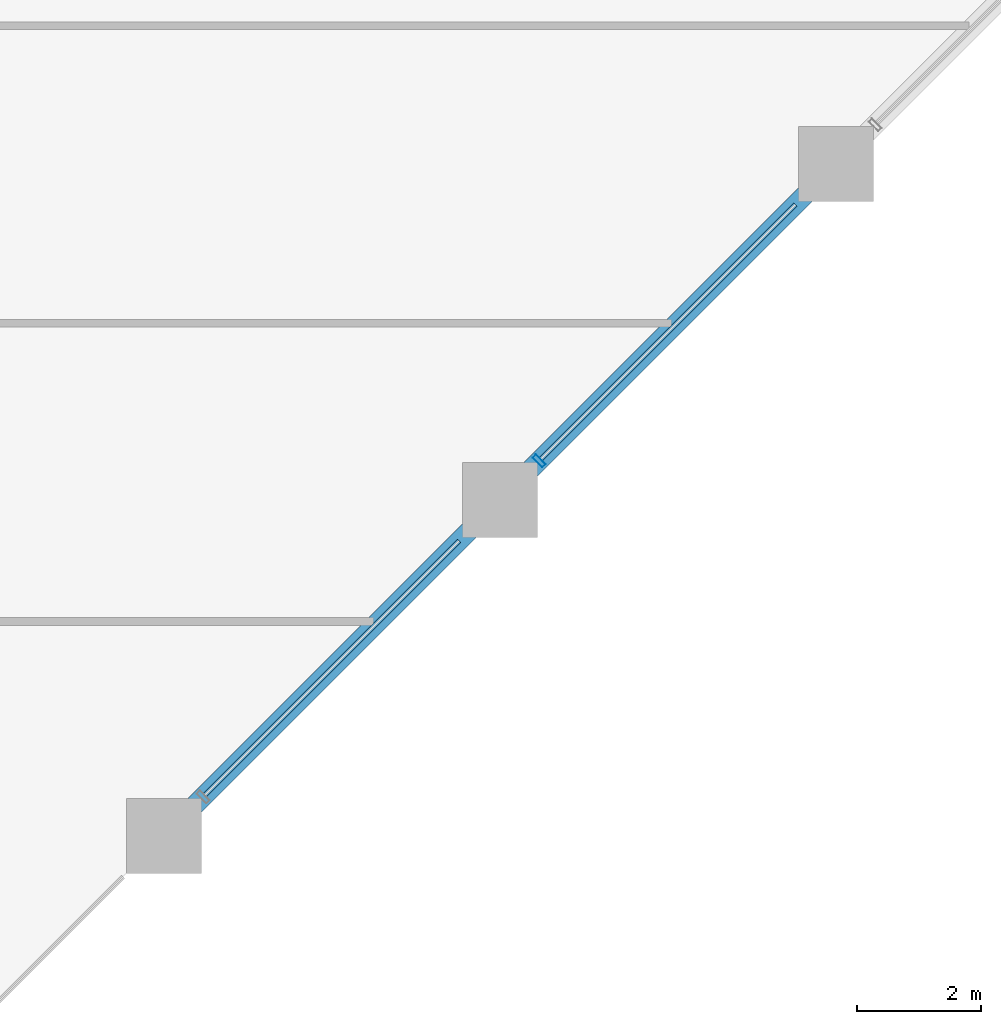
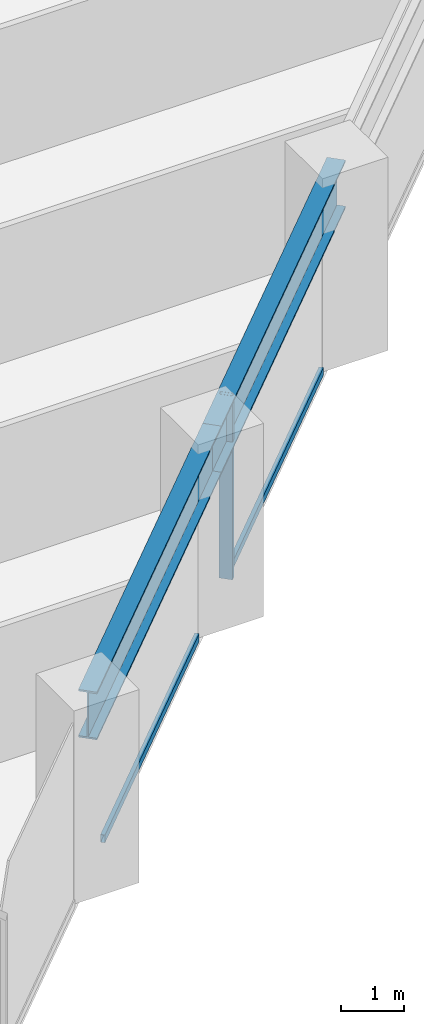
# One storey, part 9 of 28: 3 members, 2 beams, 1 element without a shape of its own.
"""IFC4 building model written with IfcOpenShell, lengths in metres."""

from ifc_helpers import new_model, si_unit, direction, frame, origin, origin_2d, place, context, subcontext, project, spatial, hollow_rectangle, i_section, extrude, material, layer, layer_set, material_profile, profile_set, type_object, element, aggregate, save


model = new_model("IFC4")

# Units and contexts
model_context = context("Model", 3, precision=1e-05, world=origin(), true_north=direction((0.0, 1.0)))
body_context = subcontext(model_context, "Body", "Model", "MODEL_VIEW")
ifc_project = project(units=[si_unit("LENGTHUNIT", "METRE"), si_unit("AREAUNIT", "SQUARE_METRE"), si_unit("VOLUMEUNIT", "CUBIC_METRE"), si_unit("PLANEANGLEUNIT", "RADIAN"), si_unit("MASSUNIT", "GRAM", prefix="KILO")], contexts=[model_context])

# Site, building, storey
site_placement = place(None, origin())
site = spatial("IfcSite", under=ifc_project, at=site_placement, CompositionType="ELEMENT")
building_placement = place(site_placement, origin())
building = spatial("IfcBuilding", under=site, at=building_placement, Name="Surkhivell Harbour Commons", CompositionType="ELEMENT")
storey_placement = place(building_placement, frame((0.0, 0.0, 63.75)))
storey = spatial("IfcBuildingStorey", under=building, at=storey_placement, Name="L16", CompositionType="ELEMENT", Elevation=63.75)

# Beams
ifc_material_1 = material(Name="Steel S460", Category="steel")
ifc_material_profile_1 = material_profile(ifc_material_1, i_section(OverallWidth=0.30810546875, OverallDepth=0.927001953125, WebThickness=0.01953125, FlangeThickness=0.031982421875, at=origin_2d()), Name="UB914x305x289")
ifc_profile_set_1 = profile_set([ifc_material_profile_1], Name="Steel S460")
beam_type = type_object("IfcBeamType", Name="BM-SPN-914B", PredefinedType="SPANDREL", material=ifc_profile_set_1)
for number, where, z_axis, x_axis, name in (
    (1, (16.199951171875, -9.699951171875, 3.1064453125), (0.707122765516, 0.707090796496, 0.0), (-0.707090796496, 0.707122765516, 0.0), "L16 Tube Spandrel (16.2,-9.7)"),
    (2, (21.60009765625, -4.300048828125, 3.1064453125), (0.707090796496, 0.707122765516, 0.0), (-0.707122765516, 0.707090796496, 0.0), "L16 Tube Spandrel (21.6,-4.3)"),
):
    element("IfcBeam", number, at=place(storey_placement, frame(where, z_axis=z_axis, x_axis=x_axis)), inside=storey, type_object=beam_type, Name=name, PredefinedType="SPANDREL", context=body_context, shape_type="SweptSolid", body=[
        extrude(i_section(OverallWidth=0.30810546875, OverallDepth=0.927001953125, WebThickness=0.01953125, FlangeThickness=0.031982421875, at=origin_2d()), origin(), (0.0, 0.0, 1.0), 7.63671875),
    ])

# Curtain wall, members
ifc_material_2 = material(Name="Anodised pale-metal aluminium and insulated glazing", Category="aluminium")
ifc_layer = layer(ifc_material_2, 0.219970703125)
ifc_layer_set = layer_set([ifc_layer], Name="Anodised pale-metal aluminium and insulated glazing")
curtain_wall_type = type_object("IfcCurtainWallType", Name="CW-SYS-Z1", PredefinedType="NOTDEFINED", material=ifc_layer_set)
curtain_wall_placement = place(storey_placement, origin())
curtain_wall = element("IfcCurtainWall", 3, at=curtain_wall_placement, inside=storey, type_object=curtain_wall_type, Name="L16 Curtain Wall CW-L16-E01", PredefinedType="NOTDEFINED")
ifc_material_3 = material(Name="Anodised pale-metal aluminium alloy 6063-T6", Category="aluminium")
ifc_material_profile_2 = material_profile(ifc_material_3, hollow_rectangle(XDim=0.074951171875, YDim=0.219970703125, WallThickness=0.00390625, at=origin_2d()), Name="ALU-MULL-75x220")
ifc_profile_set_2 = profile_set([ifc_material_profile_2], Name="Anodised pale-metal aluminium alloy 6063-T6")
member_type_1 = type_object("IfcMemberType", Name="CWM-220", PredefinedType="MULLION", material=ifc_profile_set_2)
member_1_placement = place(storey_placement, frame((22.228271484375, -3.671630859375, 0.0), z_axis=(0.0, 0.0, 1.0), x_axis=(0.707106781187, 0.707106781187, 0.0)))
member_1 = element("IfcMember", 4, at=member_1_placement, type_object=member_type_1, Name="CW-Z1 mullion 6", PredefinedType="MULLION", context=body_context, shape_type="SweptSolid", body=[
    extrude(hollow_rectangle(XDim=0.074951171875, YDim=0.219970703125, WallThickness=0.00390625, at=origin_2d()), origin(), (0.0, 0.0, 1.0), 3.570068359375),
])
ifc_material_profile_3 = material_profile(ifc_material_3, hollow_rectangle(XDim=0.074951171875, YDim=0.14990234375, WallThickness=0.00341796875, at=origin_2d()), Name="ALU-TRAN-75x150")
ifc_profile_set_3 = profile_set([ifc_material_profile_3], Name="Anodised pale-metal aluminium alloy 6063-T6")
member_type_2 = type_object("IfcMemberType", Name="CWT-150", PredefinedType="USERDEFINED", material=ifc_profile_set_3)
member_2_placement = place(storey_placement, frame((16.854736328125, -9.045166015625, 0.074951171875), z_axis=(0.707127882868, 0.707085678876, 0.0), x_axis=(-0.707085678876, 0.707127882868, 0.0)))
member_2 = element("IfcMember", 5, at=member_2_placement, type_object=member_type_2, Name="CW-Z1 transom 5.1", ObjectType="TRANSOM", PredefinedType="USERDEFINED", context=body_context, shape_type="SweptSolid", body=[
    extrude(hollow_rectangle(XDim=0.074951171875, YDim=0.14990234375, WallThickness=0.00341796875, at=origin_2d()), origin(), (0.0, 0.0, 1.0), 5.78466796875),
])
member_3_placement = place(storey_placement, frame((22.2548828125, -3.645263671875, 0.074951171875), z_axis=(0.707085678876, 0.707127882868, 0.0), x_axis=(-0.707127882868, 0.707085678876, 0.0)))
member_3 = element("IfcMember", 6, at=member_3_placement, type_object=member_type_2, Name="CW-Z1 transom 6.1", ObjectType="TRANSOM", PredefinedType="USERDEFINED", context=body_context, shape_type="SweptSolid", body=[
    extrude(hollow_rectangle(XDim=0.074951171875, YDim=0.14990234375, WallThickness=0.00341796875, at=origin_2d()), origin(), (0.0, 0.0, 1.0), 5.78466796875),
])
aggregate(curtain_wall, [member_2, member_1, member_3])

save(model, "model.ifc")
